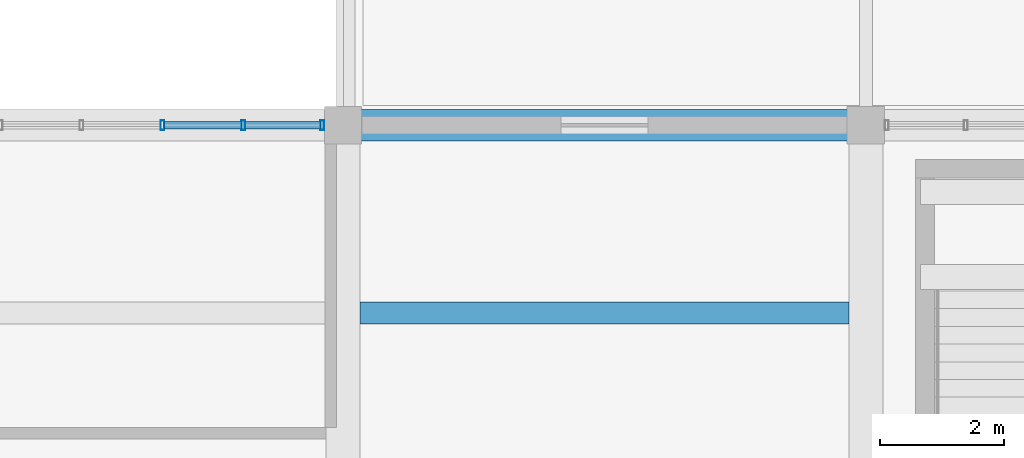
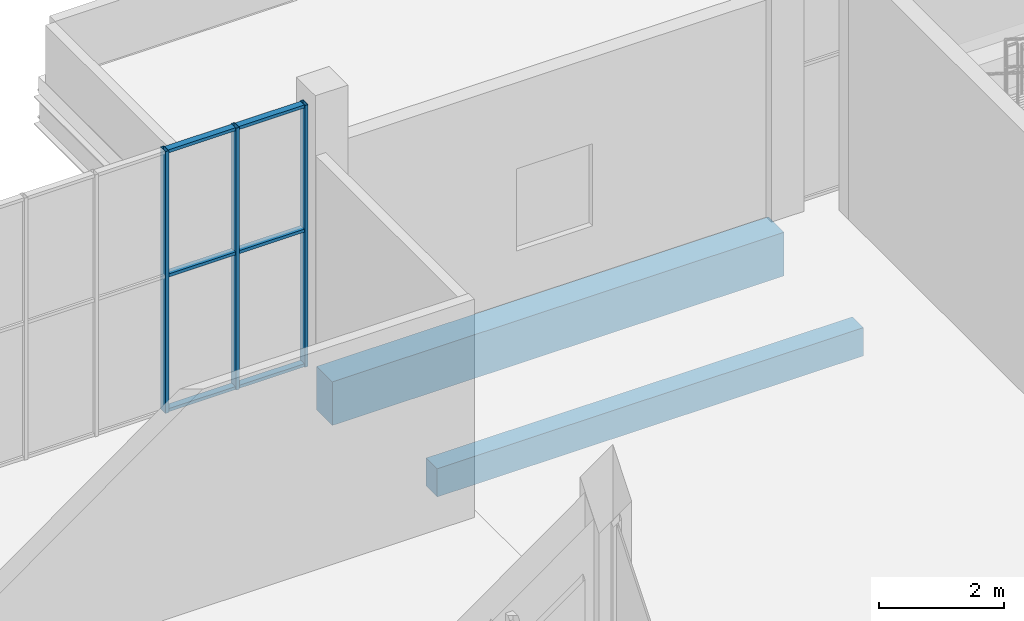
# One storey, part 66 of 132: 9 members, 2 beams, 1 element without a shape of its own.
"""IFC4 building model written with IfcOpenShell, lengths in metres."""

from ifc_helpers import new_model, si_unit, direction, frame, origin, origin_2d, place, context, subcontext, project, spatial, rectangle, hollow_rectangle, extrude, material, material_profile, profile_set, type_object, element, aggregate, save


model = new_model("IFC4")

# Units and contexts
model_context = context("Model", 3, precision=1e-05, world=origin(), true_north=direction((0.0, 1.0)))
body_context = subcontext(model_context, "Body", "Model", "MODEL_VIEW")
ifc_project = project(units=[si_unit("LENGTHUNIT", "METRE"), si_unit("AREAUNIT", "SQUARE_METRE"), si_unit("VOLUMEUNIT", "CUBIC_METRE"), si_unit("PLANEANGLEUNIT", "RADIAN"), si_unit("MASSUNIT", "GRAM", prefix="KILO")], contexts=[model_context])

# Site, building, storey
site_placement = place(None, origin())
site = spatial("IfcSite", under=ifc_project, at=site_placement, CompositionType="ELEMENT")
building_placement = place(site_placement, origin())
building = spatial("IfcBuilding", under=site, at=building_placement, Name="Khurvash Pelagic Aquarium", CompositionType="ELEMENT")
storey_placement = place(building_placement, frame((0.0, 0.0, 5.39990234375)))
storey = spatial("IfcBuildingStorey", under=building, at=storey_placement, Name="L01", CompositionType="ELEMENT", Elevation=5.39990234375)

# Curtain wall, members
ifc_material_1 = material(Name="Anodised aluminium and low-E laminated glass", Category="aluminium")
curtain_wall_type = type_object("IfcCurtainWallType", Name="CW-05", PredefinedType="USERDEFINED", material=ifc_material_1)
curtain_wall_placement = place(storey_placement, origin())
curtain_wall = element("IfcCurtainWall", 1, at=curtain_wall_placement, inside=storey, type_object=curtain_wall_type, Name="L01 Facade Unitised Curtain Wall CW-05 0119", ObjectType="UNITISED CURTAIN WALL", PredefinedType="USERDEFINED")
ifc_material_2 = material(Name="Extruded aluminium AW-6063-T6", Category="aluminium")
ifc_material_profile_1 = material_profile(ifc_material_2, hollow_rectangle(XDim=0.06005859375, YDim=0.159912109375, WallThickness=0.00390625, at=origin_2d()), Name="CWM60X160X4")
ifc_profile_set_1 = profile_set([ifc_material_profile_1], Name="Extruded aluminium AW-6063-T6")
member_type_1 = type_object("IfcMemberType", Name="CM-02", PredefinedType="MULLION", material=ifc_profile_set_1)
member_1_placement = place(storey_placement, frame((58.465087890625, 102.14990234375, 0.0), z_axis=(0.0, 0.0, 1.0), x_axis=(-1.0, 0.0, 0.0)))
member_1 = element("IfcMember", 2, at=member_1_placement, type_object=member_type_1, Name="CW-05 mullion 1", PredefinedType="MULLION", context=body_context, shape_type="SweptSolid", body=[
    extrude(hollow_rectangle(XDim=0.06005859375, YDim=0.159912109375, WallThickness=0.00390625, at=origin_2d()), origin(), (0.0, 0.0, 1.0), 5.10009765625),
])
member_2_placement = place(storey_placement, frame((57.19677734375, 102.14990234375, 0.0), z_axis=(0.0, 0.0, 1.0), x_axis=(-1.0, 0.0, 0.0)))
member_2 = element("IfcMember", 3, at=member_2_placement, type_object=member_type_1, Name="CW-05 mullion 2", PredefinedType="MULLION", context=body_context, shape_type="SweptSolid", body=[
    extrude(hollow_rectangle(XDim=0.06005859375, YDim=0.159912109375, WallThickness=0.00390625, at=origin_2d()), origin(), (0.0, 0.0, 1.0), 5.10009765625),
])
member_3_placement = place(storey_placement, frame((55.8984375, 102.14990234375, 0.0), z_axis=(0.0, 0.0, 1.0), x_axis=(-1.0, 0.0, 0.0)))
member_3 = element("IfcMember", 4, at=member_3_placement, type_object=member_type_1, Name="CW-05 mullion 3", PredefinedType="MULLION", context=body_context, shape_type="SweptSolid", body=[
    extrude(hollow_rectangle(XDim=0.06005859375, YDim=0.159912109375, WallThickness=0.00390625, at=origin_2d()), origin(), (0.0, 0.0, 1.0), 5.10009765625),
])
ifc_material_profile_2 = material_profile(ifc_material_2, hollow_rectangle(XDim=0.1201171875, YDim=0.06005859375, WallThickness=0.00390625, at=origin_2d()), Name="CWT120X60X4")
ifc_profile_set_2 = profile_set([ifc_material_profile_2], Name="Extruded aluminium AW-6063-T6")
member_type_2 = type_object("IfcMemberType", Name="CT-02", PredefinedType="USERDEFINED", material=ifc_profile_set_2)
member_4_placement = place(storey_placement, frame((58.43505859375, 102.14990234375, 0.030029296875), z_axis=(-1.0, 0.0, 0.0), x_axis=(0.0, -1.0, 0.0)))
member_4 = element("IfcMember", 5, at=member_4_placement, type_object=member_type_2, Name="CW-05 transom 1.1", ObjectType="TRANSOM", PredefinedType="USERDEFINED", context=body_context, shape_type="SweptSolid", body=[
    extrude(hollow_rectangle(XDim=0.1201171875, YDim=0.06005859375, WallThickness=0.00390625, at=origin_2d()), origin(), (0.0, 0.0, 1.0), 1.20849609375),
])
member_5_placement = place(storey_placement, frame((58.43505859375, 102.14990234375, 2.652099609375), z_axis=(-1.0, 0.0, 0.0), x_axis=(0.0, -1.0, 0.0)))
member_5 = element("IfcMember", 6, at=member_5_placement, type_object=member_type_2, Name="CW-05 transom 1.2", ObjectType="TRANSOM", PredefinedType="USERDEFINED", context=body_context, shape_type="SweptSolid", body=[
    extrude(hollow_rectangle(XDim=0.1201171875, YDim=0.06005859375, WallThickness=0.00390625, at=origin_2d()), origin(), (0.0, 0.0, 1.0), 1.20849609375),
])
member_6_placement = place(storey_placement, frame((58.43505859375, 102.14990234375, 5.070068359375), z_axis=(-1.0, 0.0, 0.0), x_axis=(0.0, -1.0, 0.0)))
member_6 = element("IfcMember", 7, at=member_6_placement, type_object=member_type_2, Name="CW-05 transom 1.3", ObjectType="TRANSOM", PredefinedType="USERDEFINED", context=body_context, shape_type="SweptSolid", body=[
    extrude(hollow_rectangle(XDim=0.1201171875, YDim=0.06005859375, WallThickness=0.00390625, at=origin_2d()), origin(), (0.0, 0.0, 1.0), 1.20849609375),
])
member_7_placement = place(storey_placement, frame((57.166748046875, 102.14990234375, 0.030029296875), z_axis=(-1.0, 0.0, 0.0), x_axis=(0.0, -1.0, 0.0)))
member_7 = element("IfcMember", 8, at=member_7_placement, type_object=member_type_2, Name="CW-05 transom 2.1", ObjectType="TRANSOM", PredefinedType="USERDEFINED", context=body_context, shape_type="SweptSolid", body=[
    extrude(hollow_rectangle(XDim=0.1201171875, YDim=0.06005859375, WallThickness=0.00390625, at=origin_2d()), origin(), (0.0, 0.0, 1.0), 1.238525390625),
])
member_8_placement = place(storey_placement, frame((57.166748046875, 102.14990234375, 2.652099609375), z_axis=(-1.0, 0.0, 0.0), x_axis=(0.0, -1.0, 0.0)))
member_8 = element("IfcMember", 9, at=member_8_placement, type_object=member_type_2, Name="CW-05 transom 2.2", ObjectType="TRANSOM", PredefinedType="USERDEFINED", context=body_context, shape_type="SweptSolid", body=[
    extrude(hollow_rectangle(XDim=0.1201171875, YDim=0.06005859375, WallThickness=0.00390625, at=origin_2d()), origin(), (0.0, 0.0, 1.0), 1.238525390625),
])
member_9_placement = place(storey_placement, frame((57.166748046875, 102.14990234375, 5.070068359375), z_axis=(-1.0, 0.0, 0.0), x_axis=(0.0, -1.0, 0.0)))
member_9 = element("IfcMember", 10, at=member_9_placement, type_object=member_type_2, Name="CW-05 transom 2.3", ObjectType="TRANSOM", PredefinedType="USERDEFINED", context=body_context, shape_type="SweptSolid", body=[
    extrude(hollow_rectangle(XDim=0.1201171875, YDim=0.06005859375, WallThickness=0.00390625, at=origin_2d()), origin(), (0.0, 0.0, 1.0), 1.238525390625),
])
aggregate(curtain_wall, [member_1, member_2, member_3, member_4, member_5, member_6, member_7, member_8, member_9])

# Beams
ifc_material_3 = material(Name="Concrete C35/45", Category="concrete")
ifc_material_profile_3 = material_profile(ifc_material_3, rectangle(XDim=0.35009765625, YDim=0.550048828125, at=origin_2d()), Name="RC350X550")
ifc_profile_set_3 = profile_set([ifc_material_profile_3], Name="Concrete C35/45")
beam_type_1 = type_object("IfcBeamType", Name="JS-01", PredefinedType="JOIST", material=ifc_profile_set_3)
beam_1_placement = place(storey_placement, frame((59.074951171875, 99.133056640625, -0.5849609375), z_axis=(1.0, 0.0, 0.0), x_axis=(0.0, 1.0, 0.0)))
element("IfcBeam", 11, at=beam_1_placement, inside=storey, type_object=beam_type_1, Name="L01 Floor Joist JS-01 00507", PredefinedType="JOIST", context=body_context, shape_type="SweptSolid", body=[
    extrude(rectangle(XDim=0.35009765625, YDim=0.550048828125, at=origin_2d()), origin(), (0.0, 0.0, 1.0), 7.85009765625),
])
ifc_material_4 = material(Name="Concrete C40/50", Category="concrete")
ifc_material_profile_4 = material_profile(ifc_material_4, rectangle(XDim=0.5, YDim=0.85009765625, at=origin_2d()), Name="RC500X850")
ifc_profile_set_4 = profile_set([ifc_material_profile_4], Name="Concrete C40/50")
beam_type_2 = type_object("IfcBeamType", Name="SEB-03", PredefinedType="SPANDREL", material=ifc_profile_set_4)
beam_2_placement = place(storey_placement, frame((58.840087890625, 102.14990234375, -0.744873046875), z_axis=(1.0, 0.0, 0.0), x_axis=(0.0, 1.0, 0.0)))
element("IfcBeam", 12, at=beam_2_placement, inside=storey, type_object=beam_type_2, Name="L01 Primary Girder SEB-03 00340", PredefinedType="SPANDREL", context=body_context, shape_type="SweptSolid", body=[
    extrude(rectangle(XDim=0.5, YDim=0.85009765625, at=origin_2d()), origin(), (0.0, 0.0, 1.0), 8.31982421875),
])

save(model, "model.ifc")
